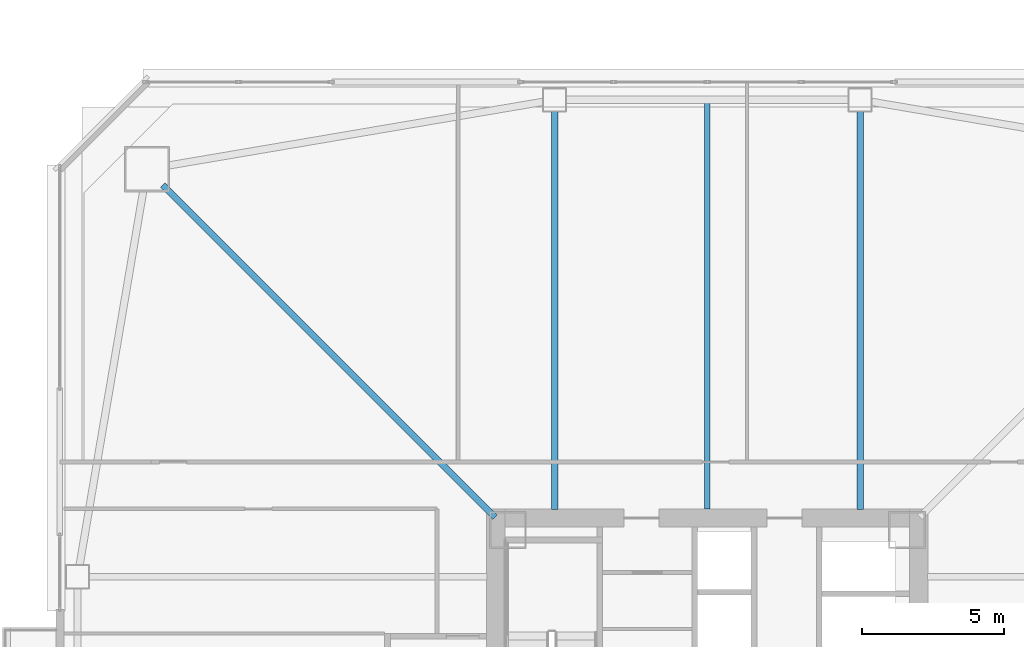
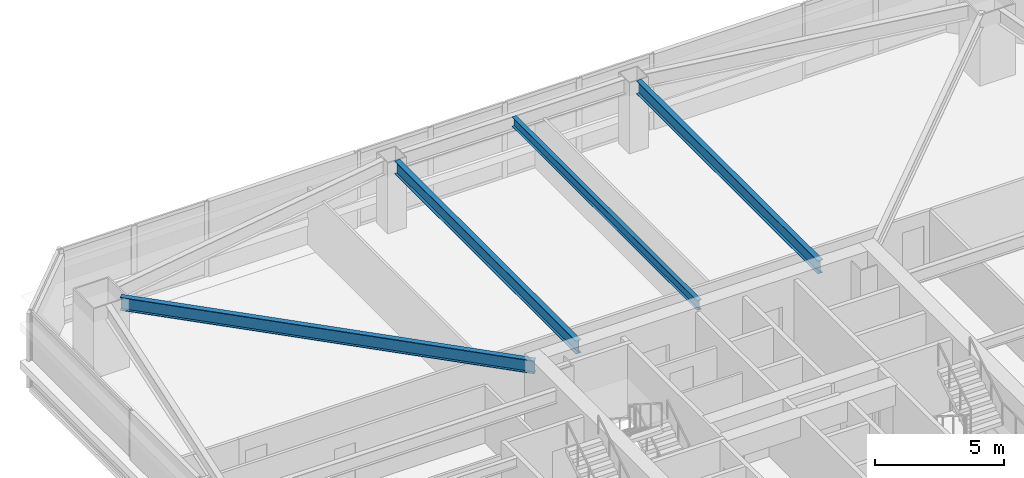
# One storey, part 12 of 47: 4 beams.
"""IFC4 building model written with IfcOpenShell, lengths in metres."""

from ifc_helpers import new_model, si_unit, direction, frame, origin, origin_2d, place, context, subcontext, project, spatial, i_section, extrude, material, material_profile, profile_set, type_object, element, save


model = new_model("IFC4")

# Units and contexts
model_context = context("Model", 3, precision=1e-05, world=origin(), true_north=direction((0.0, 1.0)))
body_context = subcontext(model_context, "Body", "Model", "MODEL_VIEW")
ifc_project = project(units=[si_unit("LENGTHUNIT", "METRE"), si_unit("AREAUNIT", "SQUARE_METRE"), si_unit("VOLUMEUNIT", "CUBIC_METRE"), si_unit("PLANEANGLEUNIT", "RADIAN"), si_unit("MASSUNIT", "GRAM", prefix="KILO")], contexts=[model_context])

# Site, building, storey
site_placement = place(None, origin())
site = spatial("IfcSite", under=ifc_project, at=site_placement, CompositionType="ELEMENT")
building_placement = place(site_placement, origin())
building = spatial("IfcBuilding", under=site, at=building_placement, Name="Tashvorn Skyway Center", CompositionType="ELEMENT")
storey_placement = place(building_placement, frame((0.0, 0.0, 42.35009765625)))
storey = spatial("IfcBuildingStorey", under=building, at=storey_placement, Name="L10", CompositionType="ELEMENT", Elevation=42.35009765625)

# Beams
ifc_material = material(Name="Steel ASTM A992 Grade 50", Category="steel")
ifc_material_profile_1 = material_profile(ifc_material, i_section(OverallWidth=0.22998046875, OverallDepth=0.616943359375, WebThickness=0.01318359375, FlangeThickness=0.022216796875, at=origin_2d()), Name="W24X94")
ifc_profile_set_1 = profile_set([ifc_material_profile_1], Name="Steel ASTM A992 Grade 50")
beam_type_1 = type_object("IfcBeamType", Name="BM-BEAM-W24X94", PredefinedType="BEAM", material=ifc_profile_set_1)
beam_1_placement = place(storey_placement, frame((22.76220703125, 51.23779296875, 3.04150390625), z_axis=(0.707106781187, -0.707106781187, 0.0), x_axis=(0.707106781187, 0.707106781187, 0.0)))
element("IfcBeam", 1, at=beam_1_placement, inside=storey, type_object=beam_type_1, Name="Tower 1 L10 Primary Floor Girder MC-NW", PredefinedType="BEAM", context=body_context, shape_type="SweptSolid", body=[
    extrude(i_section(OverallWidth=0.22998046875, OverallDepth=0.616943359375, WebThickness=0.01318359375, FlangeThickness=0.022216796875, at=origin_2d()), origin(), (0.0, 0.0, 1.0), 16.591064453125),
])
for number, where, z_axis, x_axis, name in (
    (2, (47.39990234375, 53.830078125, 3.04150390625), (0.0, -1.0, 0.0), (1.0, 0.0, 0.0), "Tower 1 L10 Primary Floor Girder FC-N1"),
    (3, (36.60009765625, 53.830078125, 3.04150390625), (0.0, -1.0, 0.0), (1.0, 0.0, 0.0), "Tower 1 L10 Primary Floor Girder FC-N2"),
):
    element("IfcBeam", number, at=place(storey_placement, frame(where, z_axis=z_axis, x_axis=x_axis)), inside=storey, type_object=beam_type_1, Name=name, PredefinedType="BEAM", context=body_context, shape_type="SweptSolid", body=[
        extrude(i_section(OverallWidth=0.22998046875, OverallDepth=0.616943359375, WebThickness=0.01318359375, FlangeThickness=0.022216796875, at=origin_2d()), origin(), (0.0, 0.0, 1.0), 14.050048828125),
    ])
ifc_material_profile_2 = material_profile(ifc_material, i_section(OverallWidth=0.19091796875, OverallDepth=0.4599609375, WebThickness=0.010009765625, FlangeThickness=0.01611328125, at=origin_2d()), Name="W18X55")
ifc_profile_set_2 = profile_set([ifc_material_profile_2], Name="Steel ASTM A992 Grade 50")
beam_type_2 = type_object("IfcBeamType", Name="BM-JOIST-W18X55", PredefinedType="JOIST", material=ifc_profile_set_2)
beam_2_placement = place(storey_placement, frame((42.0, 39.7900390625, 3.119873046875), z_axis=(0.0, 1.0, 0.0), x_axis=(-1.0, 0.0, 0.0)))
element("IfcBeam", 4, at=beam_2_placement, inside=storey, type_object=beam_type_2, Name="Tower 1 L10 Secondary Composite Joist JN", PredefinedType="JOIST", context=body_context, shape_type="SweptSolid", body=[
    extrude(i_section(OverallWidth=0.19091796875, OverallDepth=0.4599609375, WebThickness=0.010009765625, FlangeThickness=0.01611328125, at=origin_2d()), origin(), (0.0, 0.0, 1.0), 14.33984375),
])

save(model, "model.ifc")
